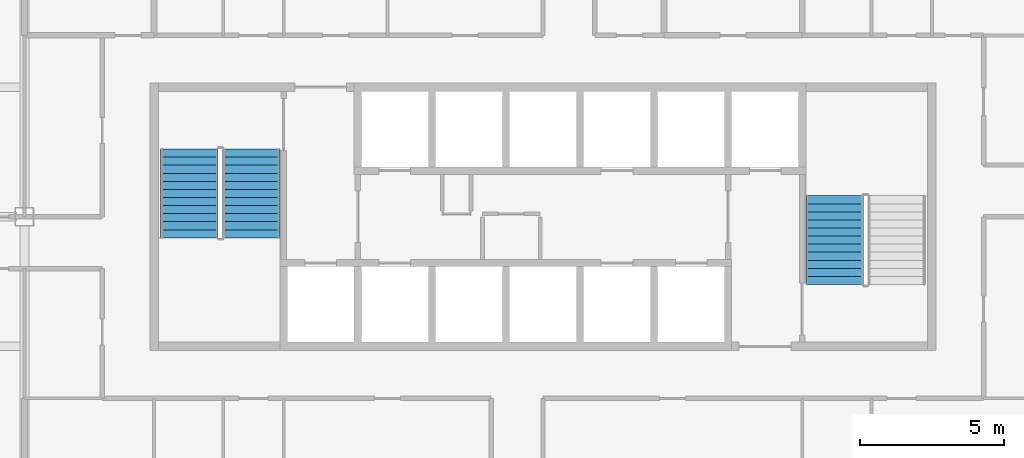
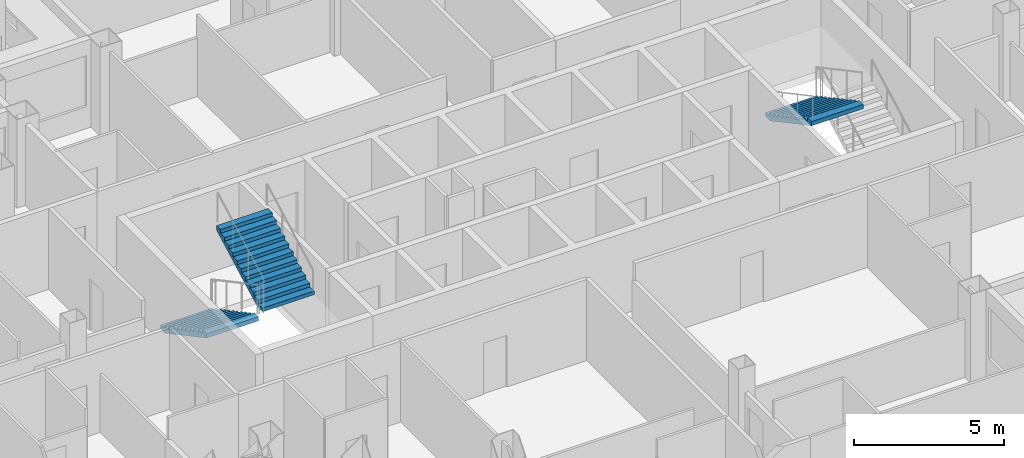
# One storey, part 13 of 21: 3 stair flights, 2 elements without a shape of their own.
"""IFC4 building model written with IfcOpenShell, lengths in metres."""

from ifc_helpers import new_model, si_unit, direction, frame, origin, place, context, subcontext, project, spatial, polygons, material, type_object, element, aggregate, save


model = new_model("IFC4")

# Units and contexts
model_context = context("Model", 3, precision=1e-05, world=origin(), true_north=direction((0.0, 1.0)))
body_context = subcontext(model_context, "Body", "Model", "MODEL_VIEW")
ifc_project = project(units=[si_unit("LENGTHUNIT", "METRE"), si_unit("AREAUNIT", "SQUARE_METRE"), si_unit("VOLUMEUNIT", "CUBIC_METRE"), si_unit("PLANEANGLEUNIT", "RADIAN"), si_unit("MASSUNIT", "GRAM", prefix="KILO")], contexts=[model_context])

# Site, building, storey
site_placement = place(None, origin())
site = spatial("IfcSite", under=ifc_project, at=site_placement, CompositionType="ELEMENT")
building_placement = place(site_placement, origin())
building = spatial("IfcBuilding", under=site, at=building_placement, Name="Caravel Reach Hotel and Residences", CompositionType="ELEMENT")
storey_placement = place(building_placement, frame((0.0, 0.0, 129.60009765625)))
storey = spatial("IfcBuildingStorey", under=building, at=storey_placement, Name="L32", CompositionType="ELEMENT", Elevation=129.60009765625)

# Stair, stair flights
ifc_material_1 = material(Name="Concrete C40", Category="concrete")
stair_type = type_object("IfcStairType", Name="Core stair", PredefinedType="HALF_TURN_STAIR", material=ifc_material_1)
stair_1_placement = place(storey_placement, origin())
stair_1 = element("IfcStair", 1, at=stair_1_placement, inside=storey, type_object=stair_type, Name="L32 Exit stair A", PredefinedType="HALF_TURN_STAIR")
ifc_material_2 = material(Name="Concrete C40", Category="concrete")
stair_flight_type = type_object("IfcStairFlightType", Name="Core stair flight", PredefinedType="STRAIGHT", material=ifc_material_2)
stair_flight_1_placement = place(storey_placement, frame((19.22509765625, 29.35009765625, 0.0), z_axis=(0.0, 0.0, 1.0), x_axis=(0.0, -1.0, 0.0)))
stair_flight_1 = element("IfcStairFlight", 2, at=stair_flight_1_placement, type_object=stair_flight_type, Name="ST-A flight 1", NumberOfRisers=12, NumberOfTreads=11, PredefinedType="STRAIGHT", RiserHeight=0.15, TreadLength=0.28, context=body_context, shape_type="Tessellation", body=[
    polygons([(0.3174408016601862, 1.0, 0.0), (0.3174408016601862, 0.6666666666666667, 0.0), (0.3174408016601862, 0.33333333333333337, 0.0), (0.3174408016601862, 0.0, 0.0), (0.3174408016601862, -0.33333333333333326, 0.0), (0.3174408016601862, -0.6666666666666667, 0.0), (0.3174408016601862, -1.0, 0.0), (3.081, 1.0, 1.479942427682043), (3.081, 0.6666666666666667, 1.479942427682043), (3.081, 0.33333333333333337, 1.479942427682043), (3.081, 0.0, 1.479942427682043), (3.081, -0.33333333333333326, 1.479942427682043), (3.081, -0.6666666666666667, 1.479942427682043), (3.081, -1.0, 1.479942427682043), (3.081, 1.0, 1.65), (3.081, 0.6666666666666667, 1.65), (3.081, 0.33333333333333337, 1.65), (3.081, 0.0, 1.65), (3.081, -0.33333333333333326, 1.65), (3.081, -0.6666666666666667, 1.65), (3.081, -1.0, 1.65), (2.8000000000000003, 1.0, 1.65), (2.8000000000000003, 0.6666666666666667, 1.65), (2.8000000000000003, 0.33333333333333337, 1.65), (2.8000000000000003, 0.0, 1.65), (2.8000000000000003, -0.33333333333333326, 1.65), (2.8000000000000003, -0.6666666666666667, 1.65), (2.8000000000000003, -1.0, 1.65), (2.8000000000000003, 1.0, 1.5), (2.8000000000000003, 0.6666666666666667, 1.5), (2.8000000000000003, 0.33333333333333337, 1.5), (2.8000000000000003, 0.0, 1.5), (2.8000000000000003, -0.33333333333333326, 1.5), (2.8000000000000003, -0.6666666666666667, 1.5), (2.8000000000000003, -1.0, 1.5), (2.5200000000000005, 1.0, 1.5), (2.5200000000000005, 0.6666666666666667, 1.5), (2.5200000000000005, 0.33333333333333337, 1.5), (2.5200000000000005, 0.0, 1.5), (2.5200000000000005, -0.33333333333333326, 1.5), (2.5200000000000005, -0.6666666666666667, 1.5), (2.5200000000000005, -1.0, 1.5), (2.5200000000000005, 1.0, 1.3499999999999999), (2.5200000000000005, 0.6666666666666667, 1.3499999999999999), (2.5200000000000005, 0.33333333333333337, 1.3499999999999999), (2.5200000000000005, 0.0, 1.3499999999999999), (2.5200000000000005, -0.33333333333333326, 1.3499999999999999), (2.5200000000000005, -0.6666666666666667, 1.3499999999999999), (2.5200000000000005, -1.0, 1.3499999999999999), (2.24, 1.0, 1.3499999999999999), (2.24, 0.6666666666666667, 1.3499999999999999), (2.24, 0.33333333333333337, 1.3499999999999999), (2.24, 0.0, 1.3499999999999999), (2.24, -0.33333333333333326, 1.3499999999999999), (2.24, -0.6666666666666667, 1.3499999999999999), (2.24, -1.0, 1.3499999999999999), (2.24, 1.0, 1.2), (2.24, 0.6666666666666667, 1.2), (2.24, 0.33333333333333337, 1.2), (2.24, 0.0, 1.2), (2.24, -0.33333333333333326, 1.2), (2.24, -0.6666666666666667, 1.2), (2.24, -1.0, 1.2), (1.9600000000000002, 1.0, 1.2), (1.9600000000000002, 0.6666666666666667, 1.2), (1.9600000000000002, 0.33333333333333337, 1.2), (1.9600000000000002, 0.0, 1.2), (1.9600000000000002, -0.33333333333333326, 1.2), (1.9600000000000002, -0.6666666666666667, 1.2), (1.9600000000000002, -1.0, 1.2), (1.9600000000000002, 1.0, 1.05), (1.9600000000000002, 0.6666666666666667, 1.05), (1.9600000000000002, 0.33333333333333337, 1.05), (1.9600000000000002, 0.0, 1.05), (1.9600000000000002, -0.33333333333333326, 1.05), (1.9600000000000002, -0.6666666666666667, 1.05), (1.9600000000000002, -1.0, 1.05), (1.6800000000000002, 1.0, 1.05), (1.6800000000000002, 0.6666666666666667, 1.05), (1.6800000000000002, 0.33333333333333337, 1.05), (1.6800000000000002, 0.0, 1.05), (1.6800000000000002, -0.33333333333333326, 1.05), (1.6800000000000002, -0.6666666666666667, 1.05), (1.6800000000000002, -1.0, 1.05), (1.6800000000000002, 1.0, 0.8999999999999999), (1.6800000000000002, 0.6666666666666667, 0.8999999999999999), (1.6800000000000002, 0.33333333333333337, 0.8999999999999999), (1.6800000000000002, 0.0, 0.8999999999999999), (1.6800000000000002, -0.33333333333333326, 0.8999999999999999), (1.6800000000000002, -0.6666666666666667, 0.8999999999999999), (1.6800000000000002, -1.0, 0.8999999999999999), (1.4000000000000001, 1.0, 0.8999999999999999), (1.4000000000000001, 0.6666666666666667, 0.8999999999999999), (1.4000000000000001, 0.33333333333333337, 0.8999999999999999), (1.4000000000000001, 0.0, 0.8999999999999999), (1.4000000000000001, -0.33333333333333326, 0.8999999999999999), (1.4000000000000001, -0.6666666666666667, 0.8999999999999999), (1.4000000000000001, -1.0, 0.8999999999999999), (1.4000000000000001, 1.0, 0.75), (1.4000000000000001, 0.6666666666666667, 0.75), (1.4000000000000001, 0.33333333333333337, 0.75), (1.4000000000000001, 0.0, 0.75), (1.4000000000000001, -0.33333333333333326, 0.75), (1.4000000000000001, -0.6666666666666667, 0.75), (1.4000000000000001, -1.0, 0.75), (1.12, 1.0, 0.75), (1.12, 0.6666666666666667, 0.75), (1.12, 0.33333333333333337, 0.75), (1.12, 0.0, 0.75), (1.12, -0.33333333333333326, 0.75), (1.12, -0.6666666666666667, 0.75), (1.12, -1.0, 0.75), (1.12, 1.0, 0.6), (1.12, 0.6666666666666667, 0.6), (1.12, 0.33333333333333337, 0.6), (1.12, 0.0, 0.6), (1.12, -0.33333333333333326, 0.6), (1.12, -0.6666666666666667, 0.6), (1.12, -1.0, 0.6), (0.8400000000000001, 1.0, 0.6), (0.8400000000000001, 0.6666666666666667, 0.6), (0.8400000000000001, 0.33333333333333337, 0.6), (0.8400000000000001, 0.0, 0.6), (0.8400000000000001, -0.33333333333333326, 0.6), (0.8400000000000001, -0.6666666666666667, 0.6), (0.8400000000000001, -1.0, 0.6), (0.8400000000000001, 1.0, 0.44999999999999996), (0.8400000000000001, 0.6666666666666667, 0.44999999999999996), (0.8400000000000001, 0.33333333333333337, 0.44999999999999996), (0.8400000000000001, 0.0, 0.44999999999999996), (0.8400000000000001, -0.33333333333333326, 0.44999999999999996), (0.8400000000000001, -0.6666666666666667, 0.44999999999999996), (0.8400000000000001, -1.0, 0.44999999999999996), (0.56, 1.0, 0.44999999999999996), (0.56, 0.6666666666666667, 0.44999999999999996), (0.56, 0.33333333333333337, 0.44999999999999996), (0.56, 0.0, 0.44999999999999996), (0.56, -0.33333333333333326, 0.44999999999999996), (0.56, -0.6666666666666667, 0.44999999999999996), (0.56, -1.0, 0.44999999999999996), (0.56, 1.0, 0.3), (0.56, 0.6666666666666667, 0.3), (0.56, 0.33333333333333337, 0.3), (0.56, 0.0, 0.3), (0.56, -0.33333333333333326, 0.3), (0.56, -0.6666666666666667, 0.3), (0.56, -1.0, 0.3), (0.28, 1.0, 0.3), (0.28, 0.6666666666666667, 0.3), (0.28, 0.33333333333333337, 0.3), (0.28, 0.0, 0.3), (0.28, -0.33333333333333326, 0.3), (0.28, -0.6666666666666667, 0.3), (0.28, -1.0, 0.3), (0.28, 1.0, 0.15), (0.28, 0.6666666666666667, 0.15), (0.28, 0.33333333333333337, 0.15), (0.28, 0.0, 0.15), (0.28, -0.33333333333333326, 0.15), (0.28, -0.6666666666666667, 0.15), (0.28, -1.0, 0.15), (-0.001, 1.0, 0.15), (-0.001, 0.6666666666666667, 0.15), (-0.001, 0.33333333333333337, 0.15), (-0.001, 0.0, 0.15), (-0.001, -0.33333333333333326, 0.15), (-0.001, -0.6666666666666667, 0.15), (-0.001, -1.0, 0.15), (-0.001, 1.0, 0.0), (-0.001, 0.6666666666666667, 0.0), (-0.001, 0.33333333333333337, 0.0), (-0.001, 0.0, 0.0), (-0.001, -0.33333333333333326, 0.0), (-0.001, -0.6666666666666667, 0.0), (-0.001, -1.0, 0.0)], [[[169, 162, 155, 148, 141, 134, 127, 120, 113, 106, 99, 92, 85, 78, 71, 64, 57, 50, 43, 36, 29, 22, 15, 8, 1]], [[7, 14, 21, 28, 35, 42, 49, 56, 63, 70, 77, 84, 91, 98, 105, 112, 119, 126, 133, 140, 147, 154, 161, 168, 175]], [[1, 8, 9, 2]], [[2, 9, 10, 3]], [[3, 10, 11, 4]], [[4, 11, 12, 5]], [[5, 12, 13, 6]], [[6, 13, 14, 7]], [[8, 15, 16, 9]], [[9, 16, 17, 10]], [[10, 17, 18, 11]], [[11, 18, 19, 12]], [[12, 19, 20, 13]], [[13, 20, 21, 14]], [[15, 22, 23, 16]], [[16, 23, 24, 17]], [[17, 24, 25, 18]], [[18, 25, 26, 19]], [[19, 26, 27, 20]], [[20, 27, 28, 21]], [[22, 29, 30, 23]], [[23, 30, 31, 24]], [[24, 31, 32, 25]], [[25, 32, 33, 26]], [[26, 33, 34, 27]], [[27, 34, 35, 28]], [[29, 36, 37, 30]], [[30, 37, 38, 31]], [[31, 38, 39, 32]], [[32, 39, 40, 33]], [[33, 40, 41, 34]], [[34, 41, 42, 35]], [[36, 43, 44, 37]], [[37, 44, 45, 38]], [[38, 45, 46, 39]], [[39, 46, 47, 40]], [[40, 47, 48, 41]], [[41, 48, 49, 42]], [[43, 50, 51, 44]], [[44, 51, 52, 45]], [[45, 52, 53, 46]], [[46, 53, 54, 47]], [[47, 54, 55, 48]], [[48, 55, 56, 49]], [[50, 57, 58, 51]], [[51, 58, 59, 52]], [[52, 59, 60, 53]], [[53, 60, 61, 54]], [[54, 61, 62, 55]], [[55, 62, 63, 56]], [[57, 64, 65, 58]], [[58, 65, 66, 59]], [[59, 66, 67, 60]], [[60, 67, 68, 61]], [[61, 68, 69, 62]], [[62, 69, 70, 63]], [[64, 71, 72, 65]], [[65, 72, 73, 66]], [[66, 73, 74, 67]], [[67, 74, 75, 68]], [[68, 75, 76, 69]], [[69, 76, 77, 70]], [[71, 78, 79, 72]], [[72, 79, 80, 73]], [[73, 80, 81, 74]], [[74, 81, 82, 75]], [[75, 82, 83, 76]], [[76, 83, 84, 77]], [[78, 85, 86, 79]], [[79, 86, 87, 80]], [[80, 87, 88, 81]], [[81, 88, 89, 82]], [[82, 89, 90, 83]], [[83, 90, 91, 84]], [[85, 92, 93, 86]], [[86, 93, 94, 87]], [[87, 94, 95, 88]], [[88, 95, 96, 89]], [[89, 96, 97, 90]], [[90, 97, 98, 91]], [[92, 99, 100, 93]], [[93, 100, 101, 94]], [[94, 101, 102, 95]], [[95, 102, 103, 96]], [[96, 103, 104, 97]], [[97, 104, 105, 98]], [[99, 106, 107, 100]], [[100, 107, 108, 101]], [[101, 108, 109, 102]], [[102, 109, 110, 103]], [[103, 110, 111, 104]], [[104, 111, 112, 105]], [[106, 113, 114, 107]], [[107, 114, 115, 108]], [[108, 115, 116, 109]], [[109, 116, 117, 110]], [[110, 117, 118, 111]], [[111, 118, 119, 112]], [[113, 120, 121, 114]], [[114, 121, 122, 115]], [[115, 122, 123, 116]], [[116, 123, 124, 117]], [[117, 124, 125, 118]], [[118, 125, 126, 119]], [[120, 127, 128, 121]], [[121, 128, 129, 122]], [[122, 129, 130, 123]], [[123, 130, 131, 124]], [[124, 131, 132, 125]], [[125, 132, 133, 126]], [[127, 134, 135, 128]], [[128, 135, 136, 129]], [[129, 136, 137, 130]], [[130, 137, 138, 131]], [[131, 138, 139, 132]], [[132, 139, 140, 133]], [[134, 141, 142, 135]], [[135, 142, 143, 136]], [[136, 143, 144, 137]], [[137, 144, 145, 138]], [[138, 145, 146, 139]], [[139, 146, 147, 140]], [[141, 148, 149, 142]], [[142, 149, 150, 143]], [[143, 150, 151, 144]], [[144, 151, 152, 145]], [[145, 152, 153, 146]], [[146, 153, 154, 147]], [[148, 155, 156, 149]], [[149, 156, 157, 150]], [[150, 157, 158, 151]], [[151, 158, 159, 152]], [[152, 159, 160, 153]], [[153, 160, 161, 154]], [[155, 162, 163, 156]], [[156, 163, 164, 157]], [[157, 164, 165, 158]], [[158, 165, 166, 159]], [[159, 166, 167, 160]], [[160, 167, 168, 161]], [[162, 169, 170, 163]], [[163, 170, 171, 164]], [[164, 171, 172, 165]], [[165, 172, 173, 166]], [[166, 173, 174, 167]], [[167, 174, 175, 168]], [[169, 1, 2, 170]], [[170, 2, 3, 171]], [[171, 3, 4, 172]], [[172, 4, 5, 173]], [[173, 5, 6, 174]], [[174, 6, 7, 175]]], closed=True),
])
stair_flight_2_placement = place(storey_placement, frame((21.375, 26.27001953125, 1.7998046875), z_axis=(0.0, 0.0, 1.0), x_axis=(0.0, 1.0, 0.0)))
stair_flight_2 = element("IfcStairFlight", 3, at=stair_flight_2_placement, type_object=stair_flight_type, Name="ST-A flight 2", NumberOfRisers=12, NumberOfTreads=11, PredefinedType="STRAIGHT", RiserHeight=0.15, TreadLength=0.28, context=body_context, shape_type="Tessellation", body=[
    polygons([(0.3174408016601862, 1.0, 0.0), (0.3174408016601862, 0.6666666666666667, 0.0), (0.3174408016601862, 0.33333333333333337, 0.0), (0.3174408016601862, 0.0, 0.0), (0.3174408016601862, -0.33333333333333326, 0.0), (0.3174408016601862, -0.6666666666666667, 0.0), (0.3174408016601862, -1.0, 0.0), (3.081, 1.0, 1.479942427682043), (3.081, 0.6666666666666667, 1.479942427682043), (3.081, 0.33333333333333337, 1.479942427682043), (3.081, 0.0, 1.479942427682043), (3.081, -0.33333333333333326, 1.479942427682043), (3.081, -0.6666666666666667, 1.479942427682043), (3.081, -1.0, 1.479942427682043), (3.081, 1.0, 1.65), (3.081, 0.6666666666666667, 1.65), (3.081, 0.33333333333333337, 1.65), (3.081, 0.0, 1.65), (3.081, -0.33333333333333326, 1.65), (3.081, -0.6666666666666667, 1.65), (3.081, -1.0, 1.65), (2.8000000000000003, 1.0, 1.65), (2.8000000000000003, 0.6666666666666667, 1.65), (2.8000000000000003, 0.33333333333333337, 1.65), (2.8000000000000003, 0.0, 1.65), (2.8000000000000003, -0.33333333333333326, 1.65), (2.8000000000000003, -0.6666666666666667, 1.65), (2.8000000000000003, -1.0, 1.65), (2.8000000000000003, 1.0, 1.5), (2.8000000000000003, 0.6666666666666667, 1.5), (2.8000000000000003, 0.33333333333333337, 1.5), (2.8000000000000003, 0.0, 1.5), (2.8000000000000003, -0.33333333333333326, 1.5), (2.8000000000000003, -0.6666666666666667, 1.5), (2.8000000000000003, -1.0, 1.5), (2.5200000000000005, 1.0, 1.5), (2.5200000000000005, 0.6666666666666667, 1.5), (2.5200000000000005, 0.33333333333333337, 1.5), (2.5200000000000005, 0.0, 1.5), (2.5200000000000005, -0.33333333333333326, 1.5), (2.5200000000000005, -0.6666666666666667, 1.5), (2.5200000000000005, -1.0, 1.5), (2.5200000000000005, 1.0, 1.3499999999999999), (2.5200000000000005, 0.6666666666666667, 1.3499999999999999), (2.5200000000000005, 0.33333333333333337, 1.3499999999999999), (2.5200000000000005, 0.0, 1.3499999999999999), (2.5200000000000005, -0.33333333333333326, 1.3499999999999999), (2.5200000000000005, -0.6666666666666667, 1.3499999999999999), (2.5200000000000005, -1.0, 1.3499999999999999), (2.24, 1.0, 1.3499999999999999), (2.24, 0.6666666666666667, 1.3499999999999999), (2.24, 0.33333333333333337, 1.3499999999999999), (2.24, 0.0, 1.3499999999999999), (2.24, -0.33333333333333326, 1.3499999999999999), (2.24, -0.6666666666666667, 1.3499999999999999), (2.24, -1.0, 1.3499999999999999), (2.24, 1.0, 1.2), (2.24, 0.6666666666666667, 1.2), (2.24, 0.33333333333333337, 1.2), (2.24, 0.0, 1.2), (2.24, -0.33333333333333326, 1.2), (2.24, -0.6666666666666667, 1.2), (2.24, -1.0, 1.2), (1.9600000000000002, 1.0, 1.2), (1.9600000000000002, 0.6666666666666667, 1.2), (1.9600000000000002, 0.33333333333333337, 1.2), (1.9600000000000002, 0.0, 1.2), (1.9600000000000002, -0.33333333333333326, 1.2), (1.9600000000000002, -0.6666666666666667, 1.2), (1.9600000000000002, -1.0, 1.2), (1.9600000000000002, 1.0, 1.05), (1.9600000000000002, 0.6666666666666667, 1.05), (1.9600000000000002, 0.33333333333333337, 1.05), (1.9600000000000002, 0.0, 1.05), (1.9600000000000002, -0.33333333333333326, 1.05), (1.9600000000000002, -0.6666666666666667, 1.05), (1.9600000000000002, -1.0, 1.05), (1.6800000000000002, 1.0, 1.05), (1.6800000000000002, 0.6666666666666667, 1.05), (1.6800000000000002, 0.33333333333333337, 1.05), (1.6800000000000002, 0.0, 1.05), (1.6800000000000002, -0.33333333333333326, 1.05), (1.6800000000000002, -0.6666666666666667, 1.05), (1.6800000000000002, -1.0, 1.05), (1.6800000000000002, 1.0, 0.8999999999999999), (1.6800000000000002, 0.6666666666666667, 0.8999999999999999), (1.6800000000000002, 0.33333333333333337, 0.8999999999999999), (1.6800000000000002, 0.0, 0.8999999999999999), (1.6800000000000002, -0.33333333333333326, 0.8999999999999999), (1.6800000000000002, -0.6666666666666667, 0.8999999999999999), (1.6800000000000002, -1.0, 0.8999999999999999), (1.4000000000000001, 1.0, 0.8999999999999999), (1.4000000000000001, 0.6666666666666667, 0.8999999999999999), (1.4000000000000001, 0.33333333333333337, 0.8999999999999999), (1.4000000000000001, 0.0, 0.8999999999999999), (1.4000000000000001, -0.33333333333333326, 0.8999999999999999), (1.4000000000000001, -0.6666666666666667, 0.8999999999999999), (1.4000000000000001, -1.0, 0.8999999999999999), (1.4000000000000001, 1.0, 0.75), (1.4000000000000001, 0.6666666666666667, 0.75), (1.4000000000000001, 0.33333333333333337, 0.75), (1.4000000000000001, 0.0, 0.75), (1.4000000000000001, -0.33333333333333326, 0.75), (1.4000000000000001, -0.6666666666666667, 0.75), (1.4000000000000001, -1.0, 0.75), (1.12, 1.0, 0.75), (1.12, 0.6666666666666667, 0.75), (1.12, 0.33333333333333337, 0.75), (1.12, 0.0, 0.75), (1.12, -0.33333333333333326, 0.75), (1.12, -0.6666666666666667, 0.75), (1.12, -1.0, 0.75), (1.12, 1.0, 0.6), (1.12, 0.6666666666666667, 0.6), (1.12, 0.33333333333333337, 0.6), (1.12, 0.0, 0.6), (1.12, -0.33333333333333326, 0.6), (1.12, -0.6666666666666667, 0.6), (1.12, -1.0, 0.6), (0.8400000000000001, 1.0, 0.6), (0.8400000000000001, 0.6666666666666667, 0.6), (0.8400000000000001, 0.33333333333333337, 0.6), (0.8400000000000001, 0.0, 0.6), (0.8400000000000001, -0.33333333333333326, 0.6), (0.8400000000000001, -0.6666666666666667, 0.6), (0.8400000000000001, -1.0, 0.6), (0.8400000000000001, 1.0, 0.44999999999999996), (0.8400000000000001, 0.6666666666666667, 0.44999999999999996), (0.8400000000000001, 0.33333333333333337, 0.44999999999999996), (0.8400000000000001, 0.0, 0.44999999999999996), (0.8400000000000001, -0.33333333333333326, 0.44999999999999996), (0.8400000000000001, -0.6666666666666667, 0.44999999999999996), (0.8400000000000001, -1.0, 0.44999999999999996), (0.56, 1.0, 0.44999999999999996), (0.56, 0.6666666666666667, 0.44999999999999996), (0.56, 0.33333333333333337, 0.44999999999999996), (0.56, 0.0, 0.44999999999999996), (0.56, -0.33333333333333326, 0.44999999999999996), (0.56, -0.6666666666666667, 0.44999999999999996), (0.56, -1.0, 0.44999999999999996), (0.56, 1.0, 0.3), (0.56, 0.6666666666666667, 0.3), (0.56, 0.33333333333333337, 0.3), (0.56, 0.0, 0.3), (0.56, -0.33333333333333326, 0.3), (0.56, -0.6666666666666667, 0.3), (0.56, -1.0, 0.3), (0.28, 1.0, 0.3), (0.28, 0.6666666666666667, 0.3), (0.28, 0.33333333333333337, 0.3), (0.28, 0.0, 0.3), (0.28, -0.33333333333333326, 0.3), (0.28, -0.6666666666666667, 0.3), (0.28, -1.0, 0.3), (0.28, 1.0, 0.15), (0.28, 0.6666666666666667, 0.15), (0.28, 0.33333333333333337, 0.15), (0.28, 0.0, 0.15), (0.28, -0.33333333333333326, 0.15), (0.28, -0.6666666666666667, 0.15), (0.28, -1.0, 0.15), (-0.001, 1.0, 0.15), (-0.001, 0.6666666666666667, 0.15), (-0.001, 0.33333333333333337, 0.15), (-0.001, 0.0, 0.15), (-0.001, -0.33333333333333326, 0.15), (-0.001, -0.6666666666666667, 0.15), (-0.001, -1.0, 0.15), (-0.001, 1.0, 0.0), (-0.001, 0.6666666666666667, 0.0), (-0.001, 0.33333333333333337, 0.0), (-0.001, 0.0, 0.0), (-0.001, -0.33333333333333326, 0.0), (-0.001, -0.6666666666666667, 0.0), (-0.001, -1.0, 0.0)], [[[169, 162, 155, 148, 141, 134, 127, 120, 113, 106, 99, 92, 85, 78, 71, 64, 57, 50, 43, 36, 29, 22, 15, 8, 1]], [[7, 14, 21, 28, 35, 42, 49, 56, 63, 70, 77, 84, 91, 98, 105, 112, 119, 126, 133, 140, 147, 154, 161, 168, 175]], [[1, 8, 9, 2]], [[2, 9, 10, 3]], [[3, 10, 11, 4]], [[4, 11, 12, 5]], [[5, 12, 13, 6]], [[6, 13, 14, 7]], [[8, 15, 16, 9]], [[9, 16, 17, 10]], [[10, 17, 18, 11]], [[11, 18, 19, 12]], [[12, 19, 20, 13]], [[13, 20, 21, 14]], [[15, 22, 23, 16]], [[16, 23, 24, 17]], [[17, 24, 25, 18]], [[18, 25, 26, 19]], [[19, 26, 27, 20]], [[20, 27, 28, 21]], [[22, 29, 30, 23]], [[23, 30, 31, 24]], [[24, 31, 32, 25]], [[25, 32, 33, 26]], [[26, 33, 34, 27]], [[27, 34, 35, 28]], [[29, 36, 37, 30]], [[30, 37, 38, 31]], [[31, 38, 39, 32]], [[32, 39, 40, 33]], [[33, 40, 41, 34]], [[34, 41, 42, 35]], [[36, 43, 44, 37]], [[37, 44, 45, 38]], [[38, 45, 46, 39]], [[39, 46, 47, 40]], [[40, 47, 48, 41]], [[41, 48, 49, 42]], [[43, 50, 51, 44]], [[44, 51, 52, 45]], [[45, 52, 53, 46]], [[46, 53, 54, 47]], [[47, 54, 55, 48]], [[48, 55, 56, 49]], [[50, 57, 58, 51]], [[51, 58, 59, 52]], [[52, 59, 60, 53]], [[53, 60, 61, 54]], [[54, 61, 62, 55]], [[55, 62, 63, 56]], [[57, 64, 65, 58]], [[58, 65, 66, 59]], [[59, 66, 67, 60]], [[60, 67, 68, 61]], [[61, 68, 69, 62]], [[62, 69, 70, 63]], [[64, 71, 72, 65]], [[65, 72, 73, 66]], [[66, 73, 74, 67]], [[67, 74, 75, 68]], [[68, 75, 76, 69]], [[69, 76, 77, 70]], [[71, 78, 79, 72]], [[72, 79, 80, 73]], [[73, 80, 81, 74]], [[74, 81, 82, 75]], [[75, 82, 83, 76]], [[76, 83, 84, 77]], [[78, 85, 86, 79]], [[79, 86, 87, 80]], [[80, 87, 88, 81]], [[81, 88, 89, 82]], [[82, 89, 90, 83]], [[83, 90, 91, 84]], [[85, 92, 93, 86]], [[86, 93, 94, 87]], [[87, 94, 95, 88]], [[88, 95, 96, 89]], [[89, 96, 97, 90]], [[90, 97, 98, 91]], [[92, 99, 100, 93]], [[93, 100, 101, 94]], [[94, 101, 102, 95]], [[95, 102, 103, 96]], [[96, 103, 104, 97]], [[97, 104, 105, 98]], [[99, 106, 107, 100]], [[100, 107, 108, 101]], [[101, 108, 109, 102]], [[102, 109, 110, 103]], [[103, 110, 111, 104]], [[104, 111, 112, 105]], [[106, 113, 114, 107]], [[107, 114, 115, 108]], [[108, 115, 116, 109]], [[109, 116, 117, 110]], [[110, 117, 118, 111]], [[111, 118, 119, 112]], [[113, 120, 121, 114]], [[114, 121, 122, 115]], [[115, 122, 123, 116]], [[116, 123, 124, 117]], [[117, 124, 125, 118]], [[118, 125, 126, 119]], [[120, 127, 128, 121]], [[121, 128, 129, 122]], [[122, 129, 130, 123]], [[123, 130, 131, 124]], [[124, 131, 132, 125]], [[125, 132, 133, 126]], [[127, 134, 135, 128]], [[128, 135, 136, 129]], [[129, 136, 137, 130]], [[130, 137, 138, 131]], [[131, 138, 139, 132]], [[132, 139, 140, 133]], [[134, 141, 142, 135]], [[135, 142, 143, 136]], [[136, 143, 144, 137]], [[137, 144, 145, 138]], [[138, 145, 146, 139]], [[139, 146, 147, 140]], [[141, 148, 149, 142]], [[142, 149, 150, 143]], [[143, 150, 151, 144]], [[144, 151, 152, 145]], [[145, 152, 153, 146]], [[146, 153, 154, 147]], [[148, 155, 156, 149]], [[149, 156, 157, 150]], [[150, 157, 158, 151]], [[151, 158, 159, 152]], [[152, 159, 160, 153]], [[153, 160, 161, 154]], [[155, 162, 163, 156]], [[156, 163, 164, 157]], [[157, 164, 165, 158]], [[158, 165, 166, 159]], [[159, 166, 167, 160]], [[160, 167, 168, 161]], [[162, 169, 170, 163]], [[163, 170, 171, 164]], [[164, 171, 172, 165]], [[165, 172, 173, 166]], [[166, 173, 174, 167]], [[167, 174, 175, 168]], [[169, 1, 2, 170]], [[170, 2, 3, 171]], [[171, 3, 4, 172]], [[172, 4, 5, 173]], [[173, 5, 6, 174]], [[174, 6, 7, 175]]], closed=True),
])
aggregate(stair_1, [stair_flight_1, stair_flight_2])

# Stair, stair flight
stair_2_placement = place(storey_placement, origin())
stair_2 = element("IfcStair", 4, at=stair_2_placement, inside=storey, type_object=stair_type, Name="L32 Exit stair B", PredefinedType="HALF_TURN_STAIR")
stair_flight_3_placement = place(storey_placement, frame((41.625, 27.72998046875, 1.7998046875), z_axis=(0.0, 0.0, 1.0), x_axis=(0.0, -1.0, 0.0)))
stair_flight_3 = element("IfcStairFlight", 5, at=stair_flight_3_placement, type_object=stair_flight_type, Name="ST-B flight 2", NumberOfRisers=12, NumberOfTreads=11, PredefinedType="STRAIGHT", RiserHeight=0.15, TreadLength=0.28, context=body_context, shape_type="Tessellation", body=[
    polygons([(0.3174408016601862, 1.0, 0.0), (0.3174408016601862, 0.6666666666666667, 0.0), (0.3174408016601862, 0.33333333333333337, 0.0), (0.3174408016601862, 0.0, 0.0), (0.3174408016601862, -0.33333333333333326, 0.0), (0.3174408016601862, -0.6666666666666667, 0.0), (0.3174408016601862, -1.0, 0.0), (3.081, 1.0, 1.479942427682043), (3.081, 0.6666666666666667, 1.479942427682043), (3.081, 0.33333333333333337, 1.479942427682043), (3.081, 0.0, 1.479942427682043), (3.081, -0.33333333333333326, 1.479942427682043), (3.081, -0.6666666666666667, 1.479942427682043), (3.081, -1.0, 1.479942427682043), (3.081, 1.0, 1.65), (3.081, 0.6666666666666667, 1.65), (3.081, 0.33333333333333337, 1.65), (3.081, 0.0, 1.65), (3.081, -0.33333333333333326, 1.65), (3.081, -0.6666666666666667, 1.65), (3.081, -1.0, 1.65), (2.8000000000000003, 1.0, 1.65), (2.8000000000000003, 0.6666666666666667, 1.65), (2.8000000000000003, 0.33333333333333337, 1.65), (2.8000000000000003, 0.0, 1.65), (2.8000000000000003, -0.33333333333333326, 1.65), (2.8000000000000003, -0.6666666666666667, 1.65), (2.8000000000000003, -1.0, 1.65), (2.8000000000000003, 1.0, 1.5), (2.8000000000000003, 0.6666666666666667, 1.5), (2.8000000000000003, 0.33333333333333337, 1.5), (2.8000000000000003, 0.0, 1.5), (2.8000000000000003, -0.33333333333333326, 1.5), (2.8000000000000003, -0.6666666666666667, 1.5), (2.8000000000000003, -1.0, 1.5), (2.5200000000000005, 1.0, 1.5), (2.5200000000000005, 0.6666666666666667, 1.5), (2.5200000000000005, 0.33333333333333337, 1.5), (2.5200000000000005, 0.0, 1.5), (2.5200000000000005, -0.33333333333333326, 1.5), (2.5200000000000005, -0.6666666666666667, 1.5), (2.5200000000000005, -1.0, 1.5), (2.5200000000000005, 1.0, 1.3499999999999999), (2.5200000000000005, 0.6666666666666667, 1.3499999999999999), (2.5200000000000005, 0.33333333333333337, 1.3499999999999999), (2.5200000000000005, 0.0, 1.3499999999999999), (2.5200000000000005, -0.33333333333333326, 1.3499999999999999), (2.5200000000000005, -0.6666666666666667, 1.3499999999999999), (2.5200000000000005, -1.0, 1.3499999999999999), (2.24, 1.0, 1.3499999999999999), (2.24, 0.6666666666666667, 1.3499999999999999), (2.24, 0.33333333333333337, 1.3499999999999999), (2.24, 0.0, 1.3499999999999999), (2.24, -0.33333333333333326, 1.3499999999999999), (2.24, -0.6666666666666667, 1.3499999999999999), (2.24, -1.0, 1.3499999999999999), (2.24, 1.0, 1.2), (2.24, 0.6666666666666667, 1.2), (2.24, 0.33333333333333337, 1.2), (2.24, 0.0, 1.2), (2.24, -0.33333333333333326, 1.2), (2.24, -0.6666666666666667, 1.2), (2.24, -1.0, 1.2), (1.9600000000000002, 1.0, 1.2), (1.9600000000000002, 0.6666666666666667, 1.2), (1.9600000000000002, 0.33333333333333337, 1.2), (1.9600000000000002, 0.0, 1.2), (1.9600000000000002, -0.33333333333333326, 1.2), (1.9600000000000002, -0.6666666666666667, 1.2), (1.9600000000000002, -1.0, 1.2), (1.9600000000000002, 1.0, 1.05), (1.9600000000000002, 0.6666666666666667, 1.05), (1.9600000000000002, 0.33333333333333337, 1.05), (1.9600000000000002, 0.0, 1.05), (1.9600000000000002, -0.33333333333333326, 1.05), (1.9600000000000002, -0.6666666666666667, 1.05), (1.9600000000000002, -1.0, 1.05), (1.6800000000000002, 1.0, 1.05), (1.6800000000000002, 0.6666666666666667, 1.05), (1.6800000000000002, 0.33333333333333337, 1.05), (1.6800000000000002, 0.0, 1.05), (1.6800000000000002, -0.33333333333333326, 1.05), (1.6800000000000002, -0.6666666666666667, 1.05), (1.6800000000000002, -1.0, 1.05), (1.6800000000000002, 1.0, 0.8999999999999999), (1.6800000000000002, 0.6666666666666667, 0.8999999999999999), (1.6800000000000002, 0.33333333333333337, 0.8999999999999999), (1.6800000000000002, 0.0, 0.8999999999999999), (1.6800000000000002, -0.33333333333333326, 0.8999999999999999), (1.6800000000000002, -0.6666666666666667, 0.8999999999999999), (1.6800000000000002, -1.0, 0.8999999999999999), (1.4000000000000001, 1.0, 0.8999999999999999), (1.4000000000000001, 0.6666666666666667, 0.8999999999999999), (1.4000000000000001, 0.33333333333333337, 0.8999999999999999), (1.4000000000000001, 0.0, 0.8999999999999999), (1.4000000000000001, -0.33333333333333326, 0.8999999999999999), (1.4000000000000001, -0.6666666666666667, 0.8999999999999999), (1.4000000000000001, -1.0, 0.8999999999999999), (1.4000000000000001, 1.0, 0.75), (1.4000000000000001, 0.6666666666666667, 0.75), (1.4000000000000001, 0.33333333333333337, 0.75), (1.4000000000000001, 0.0, 0.75), (1.4000000000000001, -0.33333333333333326, 0.75), (1.4000000000000001, -0.6666666666666667, 0.75), (1.4000000000000001, -1.0, 0.75), (1.12, 1.0, 0.75), (1.12, 0.6666666666666667, 0.75), (1.12, 0.33333333333333337, 0.75), (1.12, 0.0, 0.75), (1.12, -0.33333333333333326, 0.75), (1.12, -0.6666666666666667, 0.75), (1.12, -1.0, 0.75), (1.12, 1.0, 0.6), (1.12, 0.6666666666666667, 0.6), (1.12, 0.33333333333333337, 0.6), (1.12, 0.0, 0.6), (1.12, -0.33333333333333326, 0.6), (1.12, -0.6666666666666667, 0.6), (1.12, -1.0, 0.6), (0.8400000000000001, 1.0, 0.6), (0.8400000000000001, 0.6666666666666667, 0.6), (0.8400000000000001, 0.33333333333333337, 0.6), (0.8400000000000001, 0.0, 0.6), (0.8400000000000001, -0.33333333333333326, 0.6), (0.8400000000000001, -0.6666666666666667, 0.6), (0.8400000000000001, -1.0, 0.6), (0.8400000000000001, 1.0, 0.44999999999999996), (0.8400000000000001, 0.6666666666666667, 0.44999999999999996), (0.8400000000000001, 0.33333333333333337, 0.44999999999999996), (0.8400000000000001, 0.0, 0.44999999999999996), (0.8400000000000001, -0.33333333333333326, 0.44999999999999996), (0.8400000000000001, -0.6666666666666667, 0.44999999999999996), (0.8400000000000001, -1.0, 0.44999999999999996), (0.56, 1.0, 0.44999999999999996), (0.56, 0.6666666666666667, 0.44999999999999996), (0.56, 0.33333333333333337, 0.44999999999999996), (0.56, 0.0, 0.44999999999999996), (0.56, -0.33333333333333326, 0.44999999999999996), (0.56, -0.6666666666666667, 0.44999999999999996), (0.56, -1.0, 0.44999999999999996), (0.56, 1.0, 0.3), (0.56, 0.6666666666666667, 0.3), (0.56, 0.33333333333333337, 0.3), (0.56, 0.0, 0.3), (0.56, -0.33333333333333326, 0.3), (0.56, -0.6666666666666667, 0.3), (0.56, -1.0, 0.3), (0.28, 1.0, 0.3), (0.28, 0.6666666666666667, 0.3), (0.28, 0.33333333333333337, 0.3), (0.28, 0.0, 0.3), (0.28, -0.33333333333333326, 0.3), (0.28, -0.6666666666666667, 0.3), (0.28, -1.0, 0.3), (0.28, 1.0, 0.15), (0.28, 0.6666666666666667, 0.15), (0.28, 0.33333333333333337, 0.15), (0.28, 0.0, 0.15), (0.28, -0.33333333333333326, 0.15), (0.28, -0.6666666666666667, 0.15), (0.28, -1.0, 0.15), (-0.001, 1.0, 0.15), (-0.001, 0.6666666666666667, 0.15), (-0.001, 0.33333333333333337, 0.15), (-0.001, 0.0, 0.15), (-0.001, -0.33333333333333326, 0.15), (-0.001, -0.6666666666666667, 0.15), (-0.001, -1.0, 0.15), (-0.001, 1.0, 0.0), (-0.001, 0.6666666666666667, 0.0), (-0.001, 0.33333333333333337, 0.0), (-0.001, 0.0, 0.0), (-0.001, -0.33333333333333326, 0.0), (-0.001, -0.6666666666666667, 0.0), (-0.001, -1.0, 0.0)], [[[169, 162, 155, 148, 141, 134, 127, 120, 113, 106, 99, 92, 85, 78, 71, 64, 57, 50, 43, 36, 29, 22, 15, 8, 1]], [[7, 14, 21, 28, 35, 42, 49, 56, 63, 70, 77, 84, 91, 98, 105, 112, 119, 126, 133, 140, 147, 154, 161, 168, 175]], [[1, 8, 9, 2]], [[2, 9, 10, 3]], [[3, 10, 11, 4]], [[4, 11, 12, 5]], [[5, 12, 13, 6]], [[6, 13, 14, 7]], [[8, 15, 16, 9]], [[9, 16, 17, 10]], [[10, 17, 18, 11]], [[11, 18, 19, 12]], [[12, 19, 20, 13]], [[13, 20, 21, 14]], [[15, 22, 23, 16]], [[16, 23, 24, 17]], [[17, 24, 25, 18]], [[18, 25, 26, 19]], [[19, 26, 27, 20]], [[20, 27, 28, 21]], [[22, 29, 30, 23]], [[23, 30, 31, 24]], [[24, 31, 32, 25]], [[25, 32, 33, 26]], [[26, 33, 34, 27]], [[27, 34, 35, 28]], [[29, 36, 37, 30]], [[30, 37, 38, 31]], [[31, 38, 39, 32]], [[32, 39, 40, 33]], [[33, 40, 41, 34]], [[34, 41, 42, 35]], [[36, 43, 44, 37]], [[37, 44, 45, 38]], [[38, 45, 46, 39]], [[39, 46, 47, 40]], [[40, 47, 48, 41]], [[41, 48, 49, 42]], [[43, 50, 51, 44]], [[44, 51, 52, 45]], [[45, 52, 53, 46]], [[46, 53, 54, 47]], [[47, 54, 55, 48]], [[48, 55, 56, 49]], [[50, 57, 58, 51]], [[51, 58, 59, 52]], [[52, 59, 60, 53]], [[53, 60, 61, 54]], [[54, 61, 62, 55]], [[55, 62, 63, 56]], [[57, 64, 65, 58]], [[58, 65, 66, 59]], [[59, 66, 67, 60]], [[60, 67, 68, 61]], [[61, 68, 69, 62]], [[62, 69, 70, 63]], [[64, 71, 72, 65]], [[65, 72, 73, 66]], [[66, 73, 74, 67]], [[67, 74, 75, 68]], [[68, 75, 76, 69]], [[69, 76, 77, 70]], [[71, 78, 79, 72]], [[72, 79, 80, 73]], [[73, 80, 81, 74]], [[74, 81, 82, 75]], [[75, 82, 83, 76]], [[76, 83, 84, 77]], [[78, 85, 86, 79]], [[79, 86, 87, 80]], [[80, 87, 88, 81]], [[81, 88, 89, 82]], [[82, 89, 90, 83]], [[83, 90, 91, 84]], [[85, 92, 93, 86]], [[86, 93, 94, 87]], [[87, 94, 95, 88]], [[88, 95, 96, 89]], [[89, 96, 97, 90]], [[90, 97, 98, 91]], [[92, 99, 100, 93]], [[93, 100, 101, 94]], [[94, 101, 102, 95]], [[95, 102, 103, 96]], [[96, 103, 104, 97]], [[97, 104, 105, 98]], [[99, 106, 107, 100]], [[100, 107, 108, 101]], [[101, 108, 109, 102]], [[102, 109, 110, 103]], [[103, 110, 111, 104]], [[104, 111, 112, 105]], [[106, 113, 114, 107]], [[107, 114, 115, 108]], [[108, 115, 116, 109]], [[109, 116, 117, 110]], [[110, 117, 118, 111]], [[111, 118, 119, 112]], [[113, 120, 121, 114]], [[114, 121, 122, 115]], [[115, 122, 123, 116]], [[116, 123, 124, 117]], [[117, 124, 125, 118]], [[118, 125, 126, 119]], [[120, 127, 128, 121]], [[121, 128, 129, 122]], [[122, 129, 130, 123]], [[123, 130, 131, 124]], [[124, 131, 132, 125]], [[125, 132, 133, 126]], [[127, 134, 135, 128]], [[128, 135, 136, 129]], [[129, 136, 137, 130]], [[130, 137, 138, 131]], [[131, 138, 139, 132]], [[132, 139, 140, 133]], [[134, 141, 142, 135]], [[135, 142, 143, 136]], [[136, 143, 144, 137]], [[137, 144, 145, 138]], [[138, 145, 146, 139]], [[139, 146, 147, 140]], [[141, 148, 149, 142]], [[142, 149, 150, 143]], [[143, 150, 151, 144]], [[144, 151, 152, 145]], [[145, 152, 153, 146]], [[146, 153, 154, 147]], [[148, 155, 156, 149]], [[149, 156, 157, 150]], [[150, 157, 158, 151]], [[151, 158, 159, 152]], [[152, 159, 160, 153]], [[153, 160, 161, 154]], [[155, 162, 163, 156]], [[156, 163, 164, 157]], [[157, 164, 165, 158]], [[158, 165, 166, 159]], [[159, 166, 167, 160]], [[160, 167, 168, 161]], [[162, 169, 170, 163]], [[163, 170, 171, 164]], [[164, 171, 172, 165]], [[165, 172, 173, 166]], [[166, 173, 174, 167]], [[167, 174, 175, 168]], [[169, 1, 2, 170]], [[170, 2, 3, 171]], [[171, 3, 4, 172]], [[172, 4, 5, 173]], [[173, 5, 6, 174]], [[174, 6, 7, 175]]], closed=True),
])
aggregate(stair_2, [stair_flight_3])

save(model, "model.ifc")
